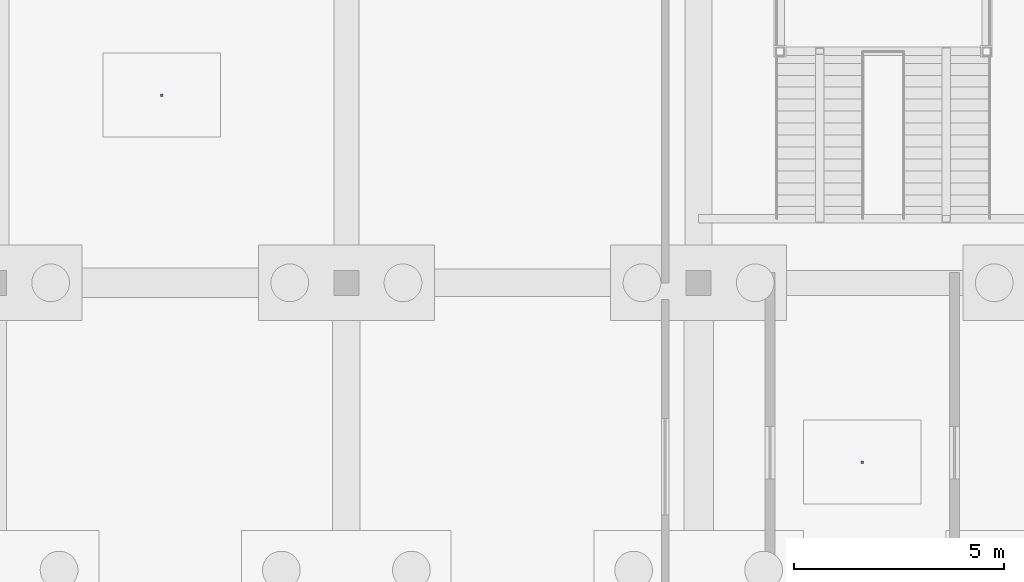
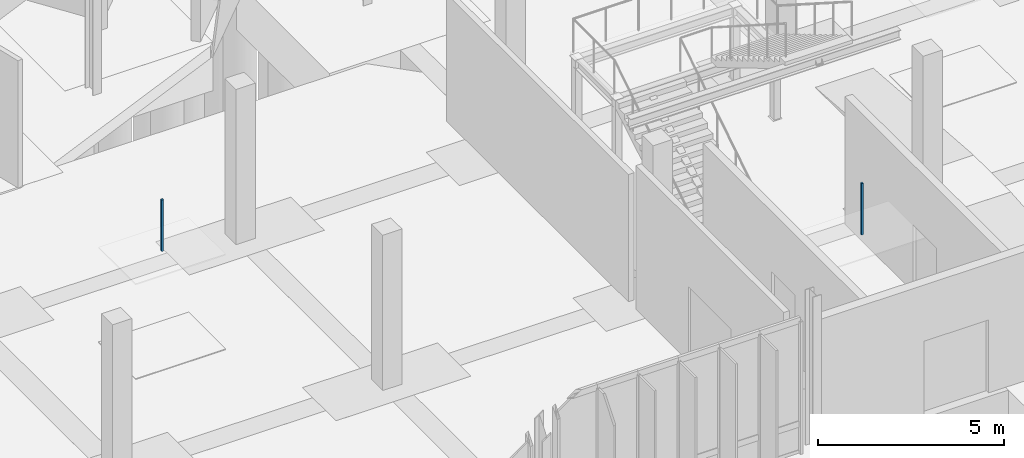
# One storey, part 93 of 119: 2 discrete accessories.
"""IFC4 building model written with IfcOpenShell, lengths in metres."""

from ifc_helpers import new_model, si_unit, derived_unit, direction, frame, origin, origin_2d, place, context, subcontext, project, spatial, rectangle, extrude, material, layer, layer_set, type_object, element, save


model = new_model("IFC4")

# Units and contexts
model_context = context("Model", 3, precision=1e-05, world=origin(), true_north=direction((0.0, 1.0)))
body_context = subcontext(model_context, "Body", "Model", "MODEL_VIEW")
ifc_project = project(units=[si_unit("LENGTHUNIT", "METRE"), si_unit("AREAUNIT", "SQUARE_METRE"), si_unit("VOLUMEUNIT", "CUBIC_METRE"), si_unit("PLANEANGLEUNIT", "RADIAN"), si_unit("MASSUNIT", "GRAM", prefix="KILO"), derived_unit("THERMALTRANSMITTANCEUNIT", [(si_unit("MASSUNIT", "GRAM", prefix="KILO"), 1), (si_unit("TIMEUNIT", "SECOND"), -3), (si_unit("THERMODYNAMICTEMPERATUREUNIT", "KELVIN"), -1)])], contexts=[model_context])

# Site, building, storey
site_placement = place(None, origin())
site = spatial("IfcSite", under=ifc_project, at=site_placement, CompositionType="ELEMENT")
building_placement = place(site_placement, origin())
building = spatial("IfcBuilding", under=site, at=building_placement, Name="Makaiwela Harbour Ferry Terminal", CompositionType="ELEMENT")
storey_placement = place(building_placement, origin())
storey = spatial("IfcBuildingStorey", under=building, at=storey_placement, Name="L00", CompositionType="ELEMENT", Elevation=0.0)

# Discrete accessories
ifc_material = material(Name="Marine grade 316L brushed stainless steel", Category="steel")
ifc_layer = layer(ifc_material, 1.0)
ifc_layer_set = layer_set([ifc_layer], Name="Marine grade 316L brushed stainless steel")
discrete_accessory_type = type_object("IfcDiscreteAccessoryType", Name="INT-ACC-HNG", PredefinedType="BRACKET", material=ifc_layer_set)
for number, where, z_axis, x_axis, name in (
    (1, (58.5, 29.324951171875, 3.135009765625), (0.0, 0.0, 1.0), (1.0, 0.0, 0.0), "Ceiling Suspension Bracket HNG-010"),
    (2, (41.800048828125, 38.07568359375, 3.135009765625), (0.0, 0.0, 1.0), (1.0, 0.0, 0.0), "Ceiling Suspension Bracket HNG-014"),
):
    element("IfcDiscreteAccessory", number, at=place(storey_placement, frame(where, z_axis=z_axis, x_axis=x_axis)), inside=storey, type_object=discrete_accessory_type, Name=name, PredefinedType="BRACKET", context=body_context, shape_type="SweptSolid", body=[
        extrude(rectangle(XDim=0.06005859375, YDim=0.06005859375, at=origin_2d()), origin(), (0.0, 0.0, 1.0), 1.68994140625),
    ])

save(model, "model.ifc")
